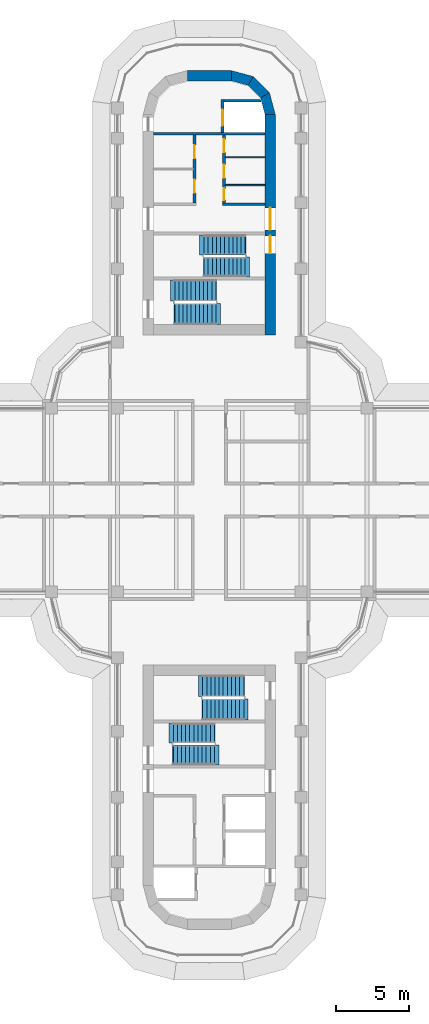
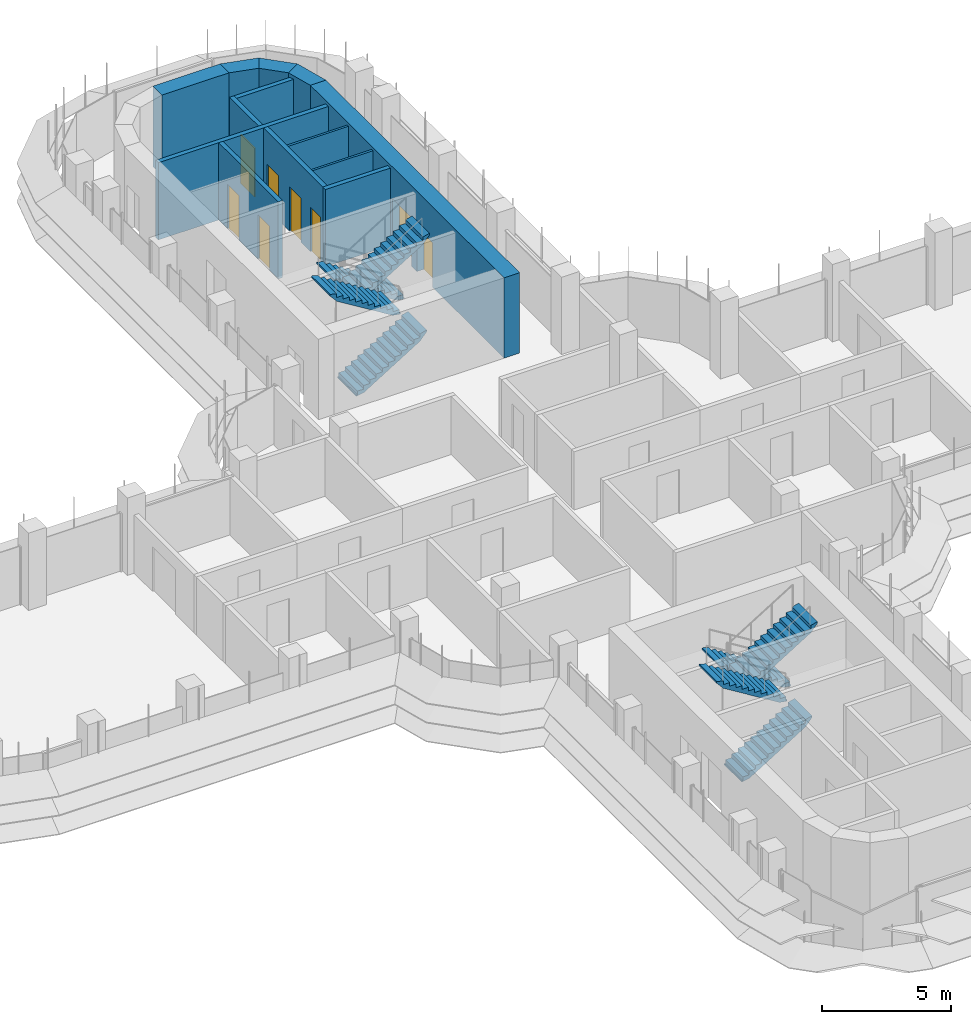
# One storey, part 16 of 20: 13 walls, 8 doors, 8 stair flights, 8 openings, 4 elements without a shape of their own.
"""IFC4 building model written with IfcOpenShell, lengths in metres."""

from ifc_helpers import new_model, si_unit, direction, frame, frame_2d, origin, place, context, subcontext, project, spatial, polyline, rectangle, outline, extrude, material, layer, layer_set, type_object, element, fill, aggregate, save


model = new_model("IFC4")

# Units and contexts
model_context = context("Model", 3, precision=1e-05, world=origin(), true_north=direction((0.0, 1.0)))
body_context = subcontext(model_context, "Body", "Model", "MODEL_VIEW")
ifc_project = project(units=[si_unit("LENGTHUNIT", "METRE"), si_unit("AREAUNIT", "SQUARE_METRE"), si_unit("VOLUMEUNIT", "CUBIC_METRE"), si_unit("PLANEANGLEUNIT", "RADIAN"), si_unit("MASSUNIT", "GRAM", prefix="KILO")], contexts=[model_context])

# Site, building, storey
site_placement = place(None, origin())
site = spatial("IfcSite", under=ifc_project, at=site_placement, CompositionType="ELEMENT")
building_placement = place(site_placement, origin())
building = spatial("IfcBuilding", under=site, at=building_placement, Name="Zarbagh Exchange Tower", CompositionType="ELEMENT")
storey_placement = place(building_placement, frame((0.0, 0.0, 186.60009765625)))
storey = spatial("IfcBuildingStorey", under=building, at=storey_placement, Name="L45", CompositionType="ELEMENT", Elevation=186.60009765625)

# Walls
ifc_material_1 = material(Name="Dense blockwork", Category="masonry")
ifc_layer_1 = layer(ifc_material_1, 0.10009765625)
ifc_layer_set_1 = layer_set([ifc_layer_1], Name="Core partition 100 mm blockwork")
wall_type_1 = type_object("IfcWallType", Name="Core partition 100 mm blockwork", PredefinedType="PARTITIONING", material=ifc_layer_set_1)
for number, where, z_axis, x_axis, name in (
    (1, (1.10009765625, 23.35009765625, 0.0), (0.0, 0.0, 1.0), (1.0, 0.0, 0.0), "North core partition wall CUT-E-500"),
    (2, (1.10009765625, 21.449951171875, 0.0), (0.0, 0.0, 1.0), (1.0, 0.0, 0.0), "North core partition wall CUT-E-690"),
):
    element("IfcWall", number, at=place(storey_placement, frame(where, z_axis=z_axis, x_axis=x_axis)), inside=storey, type_object=wall_type_1, Name=name, PredefinedType="PARTITIONING", context=body_context, shape_type="SweptSolid", body=[
        extrude(rectangle(XDim=2.699951171875, YDim=0.10009765625, at=frame_2d((1.35009765625, 0.0))), origin(), (0.0, 0.0, 1.0), 3.64990234375),
    ])
ifc_material_2 = material(Name="Concrete C50/60", Category="concrete")
ifc_layer_2 = layer(ifc_material_2, 0.699951171875)
ifc_layer_set_2 = layer_set([ifc_layer_2], Name="RC core corner wall 700 C50/60")
wall_type_2 = type_object("IfcWallType", Name="RC core corner wall 700 C50/60", PredefinedType="SHEAR", material=ifc_layer_set_2)
wall_1_placement = place(storey_placement, origin())
element("IfcWall", 3, at=wall_1_placement, inside=storey, type_object=wall_type_2, Name="CW6 core N corner E", PredefinedType="SHEAR", context=body_context, shape_type="SweptSolid", body=[
    extrude(outline(polyline([(4.5, 26.25), (4.09814453125, 27.75), (3.491943359375, 27.39990234375), (3.800048828125, 26.25), (4.5, 26.25)])), origin(), (0.0, 0.0, 1.0), 3.7998046875),
])
wall_2_placement = place(storey_placement, origin())
element("IfcWall", 4, at=wall_2_placement, inside=storey, type_object=wall_type_2, Name="CW6 core N corner E", PredefinedType="SHEAR", context=body_context, shape_type="SweptSolid", body=[
    extrude(outline(polyline([(4.09814453125, 27.75), (3.0, 28.84814453125), (2.64990234375, 28.241943359375), (3.491943359375, 27.39990234375), (4.09814453125, 27.75)])), origin(), (0.0, 0.0, 1.0), 3.7998046875),
])
wall_3_placement = place(storey_placement, origin())
element("IfcWall", 5, at=wall_3_placement, inside=storey, type_object=wall_type_2, Name="CW6 core N corner E", PredefinedType="SHEAR", context=body_context, shape_type="SweptSolid", body=[
    extrude(outline(polyline([(3.0, 28.84814453125), (1.5, 29.25), (1.5, 28.550048828125), (2.64990234375, 28.241943359375), (3.0, 28.84814453125)])), origin(), (0.0, 0.0, 1.0), 3.7998046875),
])

# Wall, openings, doors
ifc_layer_3 = layer(ifc_material_2, 0.699951171875)
ifc_layer_set_3 = layer_set([ifc_layer_3], Name="RC core wall 700 C50/60")
wall_type_3 = type_object("IfcWallType", Name="RC core wall 700 C50/60", PredefinedType="SHEAR", material=ifc_layer_set_3)
wall_4_placement = place(storey_placement, frame((4.14990234375, 11.25, 0.0), z_axis=(0.0, 0.0, 1.0), x_axis=(0.0, 1.0, 0.0)))
wall_4 = element("IfcWall", 6, at=wall_4_placement, inside=storey, type_object=wall_type_3, Name="CW5 core N E", PredefinedType="SHEAR", context=body_context, shape_type="SweptSolid", body=[
    extrude(rectangle(XDim=15.0, YDim=0.699951171875, at=frame_2d((7.5, 0.0))), origin(), (0.0, 0.0, 1.0), 3.7998046875),
])
opening_1_placement = place(wall_4_placement, frame((7.14990234375, 0.0, 0.0)))
opening_1 = element("IfcOpeningElement", 7, at=opening_1_placement, cuts=wall_4, Name="Opening CD1-1500", PredefinedType="OPENING", context=body_context, shape_type="SweptSolid", body=[
    extrude(rectangle(XDim=1.5, YDim=2.300048828125, at=frame_2d((0.75, 1.14990234375))), frame((0.0, 0.35986328125, 0.0), z_axis=(0.0, -1.0, 0.0), x_axis=(1.0, 0.0, 0.0)), (0.0, 0.0, 1.0), 0.719970703125),
])
opening_2_placement = place(wall_4_placement, frame((5.550048828125, 0.0, 0.0)))
opening_2 = element("IfcOpeningElement", 8, at=opening_2_placement, cuts=wall_4, Name="Opening SD1-1200", PredefinedType="OPENING", context=body_context, shape_type="SweptSolid", body=[
    extrude(rectangle(XDim=1.199951171875, YDim=2.10009765625, at=frame_2d((0.60009765625, 1.050048828125))), frame((0.0, 0.35986328125, 0.0), z_axis=(0.0, -1.0, 0.0), x_axis=(1.0, 0.0, 0.0)), (0.0, 0.0, 1.0), 0.719970703125),
])
ifc_material_3 = material(Name="Steel", Category="steel")
door_type_1 = type_object("IfcDoorType", Name="Exit stair door 1200 x 2100", OperationType="NOTDEFINED", PredefinedType="DOOR", material=ifc_material_3)
door_1_placement = place(opening_2_placement, origin())
door_1 = element("IfcDoor", 9, at=door_1_placement, inside=storey, type_object=door_type_1, Name="North core stair door ST1", OperationType="SINGLE_SWING_LEFT", OverallHeight=2.10009765625, OverallWidth=1.199951171875, PredefinedType="DOOR", context=body_context, shape_type="SweptSolid", body=[
    extrude(rectangle(XDim=1.199951171875, YDim=2.10009765625, at=frame_2d((0.60009765625, 1.050048828125))), frame((0.0, 0.02490234375, 0.0), z_axis=(0.0, -1.0, 0.0), x_axis=(1.0, 0.0, 0.0)), (0.0, 0.0, 1.0), 0.050048828125),
])
fill(opening_2, door_1)
door_type_2 = type_object("IfcDoorType", Name="Lift lobby double door 1500 x 2300", OperationType="NOTDEFINED", PredefinedType="DOOR", material=ifc_material_3)
door_2_placement = place(opening_1_placement, origin())
door_2 = element("IfcDoor", 10, at=door_2_placement, inside=storey, type_object=door_type_2, Name="North core lift lobby door LOBBY-E", OperationType="DOUBLE_DOOR_SINGLE_SWING", OverallHeight=2.300048828125, OverallWidth=1.5, PredefinedType="DOOR", context=body_context, shape_type="SweptSolid", body=[
    extrude(rectangle(XDim=1.5, YDim=2.300048828125, at=frame_2d((0.75, 1.14990234375))), frame((0.0, 0.02490234375, 0.0), z_axis=(0.0, -1.0, 0.0), x_axis=(1.0, 0.0, 0.0)), (0.0, 0.0, 1.0), 0.050048828125),
])
fill(opening_1, door_2)

# Wall
wall_5_placement = place(storey_placement, frame((-1.5, 28.89990234375, 0.0), z_axis=(0.0, 0.0, 1.0), x_axis=(1.0, 0.0, 0.0)))
element("IfcWall", 11, at=wall_5_placement, inside=storey, type_object=wall_type_3, Name="CW5 core N outer end", PredefinedType="SHEAR", context=body_context, shape_type="SweptSolid", body=[
    extrude(rectangle(XDim=3.0, YDim=0.699951171875, at=frame_2d((1.5, 0.0))), origin(), (0.0, 0.0, 1.0), 3.7998046875),
])

# Wall, openings, doors
ifc_layer_4 = layer(ifc_material_1, 0.199951171875)
ifc_layer_set_4 = layer_set([ifc_layer_4], Name="Shaft wall 200 mm blockwork")
wall_type_4 = type_object("IfcWallType", Name="Shaft wall 200 mm blockwork", PredefinedType="PARTITIONING", material=ifc_layer_set_4)
wall_6_placement = place(storey_placement, frame((-1.0, 24.85009765625, 0.0), z_axis=(0.0, 0.0, 1.0), x_axis=(0.0, -1.0, 0.0)))
wall_6 = element("IfcWall", 12, at=wall_6_placement, inside=storey, type_object=wall_type_4, Name="North core shaft wall LW-W", PredefinedType="PARTITIONING", context=body_context, shape_type="SweptSolid", body=[
    extrude(rectangle(XDim=4.60009765625, YDim=0.199951171875, at=frame_2d((2.300048828125, 0.0))), origin(), (0.0, 0.0, 1.0), 3.64990234375),
])
opening_3_placement = place(wall_6_placement, frame((0.675048828125, 0.0, 0.0)))
opening_3 = element("IfcOpeningElement", 13, at=opening_3_placement, cuts=wall_6, Name="Opening CD3-900", PredefinedType="OPENING", context=body_context, shape_type="SweptSolid", body=[
    extrude(rectangle(XDim=0.89990234375, YDim=2.10009765625, at=frame_2d((0.449951171875, 1.050048828125))), frame((0.0, 0.10986328125, 0.0), z_axis=(0.0, -1.0, 0.0), x_axis=(1.0, 0.0, 0.0)), (0.0, 0.0, 1.0), 0.219970703125),
])
opening_4_placement = place(wall_6_placement, frame((3.02490234375, 0.0, 0.0)))
opening_4 = element("IfcOpeningElement", 14, at=opening_4_placement, cuts=wall_6, Name="Opening CD3-900", PredefinedType="OPENING", context=body_context, shape_type="SweptSolid", body=[
    extrude(rectangle(XDim=0.89990234375, YDim=2.10009765625, at=frame_2d((0.449951171875, 1.050048828125))), frame((0.0, 0.10986328125, 0.0), z_axis=(0.0, -1.0, 0.0), x_axis=(1.0, 0.0, 0.0)), (0.0, 0.0, 1.0), 0.219970703125),
])
door_type_3 = type_object("IfcDoorType", Name="Core room door 900 x 2100", OperationType="NOTDEFINED", PredefinedType="DOOR", material=ifc_material_3)
door_3_placement = place(opening_3_placement, origin())
door_3 = element("IfcDoor", 15, at=door_3_placement, inside=storey, type_object=door_type_3, Name="North core Staff WC door RD-W-0", OperationType="SINGLE_SWING_LEFT", OverallHeight=2.10009765625, OverallWidth=0.89990234375, PredefinedType="DOOR", context=body_context, shape_type="SweptSolid", body=[
    extrude(rectangle(XDim=0.89990234375, YDim=2.10009765625, at=frame_2d((0.449951171875, 1.050048828125))), frame((0.0, 0.02490234375, 0.0), z_axis=(0.0, -1.0, 0.0), x_axis=(1.0, 0.0, 0.0)), (0.0, 0.0, 1.0), 0.050048828125),
])
fill(opening_3, door_3)
door_4_placement = place(opening_4_placement, origin())
door_4 = element("IfcDoor", 16, at=door_4_placement, inside=storey, type_object=door_type_3, Name="North core Accessible WC door RD-W-1", OperationType="SINGLE_SWING_LEFT", OverallHeight=2.10009765625, OverallWidth=0.89990234375, PredefinedType="DOOR", context=body_context, shape_type="SweptSolid", body=[
    extrude(rectangle(XDim=0.89990234375, YDim=2.10009765625, at=frame_2d((0.449951171875, 1.050048828125))), frame((0.0, 0.02490234375, 0.0), z_axis=(0.0, -1.0, 0.0), x_axis=(1.0, 0.0, 0.0)), (0.0, 0.0, 1.0), 0.050048828125),
])
fill(opening_4, door_4)

# Wall
wall_7_placement = place(storey_placement, frame((0.89990234375, 20.14990234375, 0.0), z_axis=(0.0, 0.0, 1.0), x_axis=(1.0, 0.0, 0.0)))
element("IfcWall", 17, at=wall_7_placement, inside=storey, type_object=wall_type_4, Name="North core shaft wall AB-E", PredefinedType="PARTITIONING", context=body_context, shape_type="SweptSolid", body=[
    extrude(rectangle(XDim=2.900146484375, YDim=0.199951171875, at=frame_2d((1.4501953125, 0.0))), origin(), (0.0, 0.0, 1.0), 3.64990234375),
])

# Wall, openings, doors
wall_8_placement = place(storey_placement, frame((1.0, 24.85009765625, 0.0), z_axis=(0.0, 0.0, 1.0), x_axis=(0.0, -1.0, 0.0)))
wall_8 = element("IfcWall", 18, at=wall_8_placement, inside=storey, type_object=wall_type_4, Name="North core shaft wall LW-E", PredefinedType="PARTITIONING", context=body_context, shape_type="SweptSolid", body=[
    extrude(rectangle(XDim=4.60009765625, YDim=0.199951171875, at=frame_2d((2.300048828125, 0.0))), origin(), (0.0, 0.0, 1.0), 3.64990234375),
])
opening_5_placement = place(wall_8_placement, frame((0.27490234375, 0.0, 0.0)))
opening_5 = element("IfcOpeningElement", 19, at=opening_5_placement, cuts=wall_8, Name="Opening CD3-900", PredefinedType="OPENING", context=body_context, shape_type="SweptSolid", body=[
    extrude(rectangle(XDim=0.89990234375, YDim=2.10009765625, at=frame_2d((0.449951171875, 1.050048828125))), frame((0.0, 0.10986328125, 0.0), z_axis=(0.0, -1.0, 0.0), x_axis=(1.0, 0.0, 0.0)), (0.0, 0.0, 1.0), 0.219970703125),
])
opening_6_placement = place(wall_8_placement, frame((2.0, 0.0, 0.0)))
opening_6 = element("IfcOpeningElement", 20, at=opening_6_placement, cuts=wall_8, Name="Opening CD3-900", PredefinedType="OPENING", context=body_context, shape_type="SweptSolid", body=[
    extrude(rectangle(XDim=0.89990234375, YDim=2.10009765625, at=frame_2d((0.449951171875, 1.050048828125))), frame((0.0, 0.10986328125, 0.0), z_axis=(0.0, -1.0, 0.0), x_axis=(1.0, 0.0, 0.0)), (0.0, 0.0, 1.0), 0.219970703125),
])
opening_7_placement = place(wall_8_placement, frame((3.625, 0.0, 0.0)))
opening_7 = element("IfcOpeningElement", 21, at=opening_7_placement, cuts=wall_8, Name="Opening CD3-800", PredefinedType="OPENING", context=body_context, shape_type="SweptSolid", body=[
    extrude(rectangle(XDim=0.800048828125, YDim=2.10009765625, at=frame_2d((0.39990234375, 1.050048828125))), frame((0.0, 0.10986328125, 0.0), z_axis=(0.0, -1.0, 0.0), x_axis=(1.0, 0.0, 0.0)), (0.0, 0.0, 1.0), 0.219970703125),
])
door_type_4 = type_object("IfcDoorType", Name="Core room door 800 x 2100", OperationType="NOTDEFINED", PredefinedType="DOOR", material=ifc_material_3)
door_5_placement = place(opening_7_placement, origin())
door_5 = element("IfcDoor", 22, at=door_5_placement, inside=storey, type_object=door_type_4, Name="North core IT room door RD-E-2", OperationType="SINGLE_SWING_RIGHT", OverallHeight=2.10009765625, OverallWidth=0.800048828125, PredefinedType="DOOR", context=body_context, shape_type="SweptSolid", body=[
    extrude(rectangle(XDim=0.800048828125, YDim=2.10009765625, at=frame_2d((0.39990234375, 1.050048828125))), frame((0.0, 0.02490234375, 0.0), z_axis=(0.0, -1.0, 0.0), x_axis=(1.0, 0.0, 0.0)), (0.0, 0.0, 1.0), 0.050048828125),
])
fill(opening_7, door_5)
door_6_placement = place(opening_5_placement, origin())
door_6 = element("IfcDoor", 23, at=door_6_placement, inside=storey, type_object=door_type_3, Name="North core Cleaner's store door RD-E-0", OperationType="SINGLE_SWING_RIGHT", OverallHeight=2.10009765625, OverallWidth=0.89990234375, PredefinedType="DOOR", context=body_context, shape_type="SweptSolid", body=[
    extrude(rectangle(XDim=0.89990234375, YDim=2.10009765625, at=frame_2d((0.449951171875, 1.050048828125))), frame((0.0, 0.02490234375, 0.0), z_axis=(0.0, -1.0, 0.0), x_axis=(1.0, 0.0, 0.0)), (0.0, 0.0, 1.0), 0.050048828125),
])
fill(opening_5, door_6)
door_7_placement = place(opening_6_placement, origin())
door_7 = element("IfcDoor", 24, at=door_7_placement, inside=storey, type_object=door_type_3, Name="North core Pantry door RD-E-1", OperationType="SINGLE_SWING_LEFT", OverallHeight=2.10009765625, OverallWidth=0.89990234375, PredefinedType="DOOR", context=body_context, shape_type="SweptSolid", body=[
    extrude(rectangle(XDim=0.89990234375, YDim=2.10009765625, at=frame_2d((0.449951171875, 1.050048828125))), frame((0.0, 0.02490234375, 0.0), z_axis=(0.0, -1.0, 0.0), x_axis=(1.0, 0.0, 0.0)), (0.0, 0.0, 1.0), 0.050048828125),
])
fill(opening_6, door_7)

# Wall
ifc_material_4 = material(Name="Concrete C40/50", Category="concrete")
ifc_layer_5 = layer(ifc_material_4, 0.199951171875)
ifc_layer_set_5 = layer_set([ifc_layer_5], Name="Stair enclosure wall 200 mm RC C40/50")
wall_type_5 = type_object("IfcWallType", Name="Stair enclosure wall 200 mm RC C40/50", PredefinedType="SHEAR", material=ifc_layer_set_5)
wall_9_placement = place(storey_placement, frame((-3.800048828125, 24.949951171875, 0.0), z_axis=(0.0, 0.0, 1.0), x_axis=(1.0, 0.0, 0.0)))
element("IfcWall", 25, at=wall_9_placement, inside=storey, type_object=wall_type_5, Name="North core lift shaft wall FFA", PredefinedType="SHEAR", context=body_context, shape_type="SweptSolid", body=[
    extrude(rectangle(XDim=7.60009765625, YDim=0.199951171875, at=frame_2d((3.800048828125, 0.0))), origin(), (0.0, 0.0, 1.0), 3.64990234375),
])

# Wall, opening, door
wall_10_placement = place(storey_placement, frame((0.89990234375, 27.300048828125, 0.0), z_axis=(0.0, 0.0, 1.0), x_axis=(0.0, -1.0, 0.0)))
wall_10 = element("IfcWall", 26, at=wall_10_placement, inside=storey, type_object=wall_type_5, Name="North core lift shaft wall FFL", PredefinedType="SHEAR", context=body_context, shape_type="SweptSolid", body=[
    extrude(rectangle(XDim=2.25, YDim=0.199951171875, at=frame_2d((1.125, 0.0))), origin(), (0.0, 0.0, 1.0), 3.64990234375),
])
opening_8_placement = place(wall_10_placement, frame((0.699951171875, 0.0, 0.0)))
opening_8 = element("IfcOpeningElement", 27, at=opening_8_placement, cuts=wall_10, Name="Opening LD-1100", PredefinedType="OPENING", context=body_context, shape_type="SweptSolid", body=[
    extrude(rectangle(XDim=1.10009765625, YDim=2.300048828125, at=frame_2d((0.550048828125, 1.14990234375))), frame((0.0, 0.10986328125, 0.0), z_axis=(0.0, -1.0, 0.0), x_axis=(1.0, 0.0, 0.0)), (0.0, 0.0, 1.0), 0.219970703125),
])
ifc_material_5 = material(Name="Stainless steel", Category="steel")
door_type_5 = type_object("IfcDoorType", Name="Lift landing door 1100 x 2300", OperationType="NOTDEFINED", PredefinedType="DOOR", material=ifc_material_5)
door_8_placement = place(opening_8_placement, origin())
door_8 = element("IfcDoor", 28, at=door_8_placement, inside=storey, type_object=door_type_5, Name="North core lift landing door LD-F", OperationType="DOUBLE_DOOR_SLIDING", OverallHeight=2.300048828125, OverallWidth=1.10009765625, PredefinedType="DOOR", context=body_context, shape_type="SweptSolid", body=[
    extrude(rectangle(XDim=1.10009765625, YDim=2.300048828125, at=frame_2d((0.550048828125, 1.14990234375))), frame((0.0, 0.02490234375, 0.0), z_axis=(0.0, -1.0, 0.0), x_axis=(1.0, 0.0, 0.0)), (0.0, 0.0, 1.0), 0.050048828125),
])
fill(opening_8, door_8)

# Wall
wall_11_placement = place(storey_placement, origin())
element("IfcWall", 29, at=wall_11_placement, inside=storey, type_object=wall_type_5, Name="North core lift shaft wall FFX", PredefinedType="SHEAR", context=body_context, shape_type="SweptSolid", body=[
    extrude(outline(polyline([(1.0, 27.10009765625), (3.547607421875, 27.10009765625), (3.493896484375, 27.300048828125), (1.0, 27.300048828125), (1.0, 27.10009765625)])), origin(), (0.0, 0.0, 1.0), 3.64990234375),
])

# Stair, stair flights
stair_type = type_object("IfcStairType", Name="Exit stair two-flight half-turn", PredefinedType="HALF_TURN_STAIR", material=ifc_material_4)
stair_1_placement = place(storey_placement, origin())
stair_1 = element("IfcStair", 30, at=stair_1_placement, inside=storey, type_object=stair_type, Name="exit stair ST1", PredefinedType="HALF_TURN_STAIR")
stair_flight_type_1 = type_object("IfcStairFlightType", Name="Stair flight 1350 mm", PredefinedType="STRAIGHT", material=ifc_material_4)
stair_flight_1_placement = place(storey_placement, frame((2.449951171875, 17.375, 0.0), z_axis=(0.0, 0.0, 1.0), x_axis=(-1.0, 0.0, 0.0)))
stair_flight_1 = element("IfcStairFlight", 31, at=stair_flight_1_placement, type_object=stair_flight_type_1, Name="ST1 flight 1", NumberOfRisers=11, NumberOfTreads=10, PredefinedType="STRAIGHT", RiserHeight=0.172727273, TreadLength=0.28, context=body_context, shape_type="SweptSolid", body=[
    extrude(outline(polyline([(-0.050048828125, -0.050048828125), (-0.050048828125, 0.0), (0.0, 0.0), (0.0, 0.172607421875), (0.280029296875, 0.172607421875), (0.280029296875, 0.345458984375), (0.56005859375, 0.345458984375), (0.56005859375, 0.51806640625), (0.840087890625, 0.51806640625), (0.840087890625, 0.69091796875), (1.1201171875, 0.69091796875), (1.1201171875, 0.863525390625), (1.39990234375, 0.863525390625), (1.39990234375, 1.036376953125), (1.679931640625, 1.036376953125), (1.679931640625, 1.208984375), (1.9599609375, 1.208984375), (1.9599609375, 1.3818359375), (2.239990234375, 1.3818359375), (2.239990234375, 1.554443359375), (2.52001953125, 1.554443359375), (2.52001953125, 1.727294921875), (2.800048828125, 1.727294921875), (2.800048828125, 1.89990234375), (3.10009765625, 1.97998046875), (3.10009765625, 1.89990234375), (2.800048828125, 1.551025390625), (0.285400390625, 0.0), (-0.050048828125, -0.050048828125)])), frame((0.0, 0.675048828125, 0.0), z_axis=(0.0, -1.0, 0.0), x_axis=(1.0, 0.0, 0.0)), (0.0, 0.0, 1.0), 1.35009765625),
])
stair_flight_2_placement = place(storey_placement, frame((-0.35009765625, 15.875, 1.89990234375), z_axis=(0.0, 0.0, 1.0), x_axis=(1.0, 0.0, 0.0)))
stair_flight_2 = element("IfcStairFlight", 32, at=stair_flight_2_placement, type_object=stair_flight_type_1, Name="ST1 flight 2", NumberOfRisers=11, NumberOfTreads=10, PredefinedType="STRAIGHT", RiserHeight=0.172727273, TreadLength=0.28, context=body_context, shape_type="SweptSolid", body=[
    extrude(outline(polyline([(-0.050048828125, -0.050048828125), (-0.050048828125, 0.0), (0.0, 0.0), (0.0, 0.172607421875), (0.280029296875, 0.172607421875), (0.280029296875, 0.345458984375), (0.56005859375, 0.345458984375), (0.56005859375, 0.51806640625), (0.840087890625, 0.51806640625), (0.840087890625, 0.69091796875), (1.1201171875, 0.69091796875), (1.1201171875, 0.863525390625), (1.39990234375, 0.863525390625), (1.39990234375, 1.036376953125), (1.679931640625, 1.036376953125), (1.679931640625, 1.208984375), (1.9599609375, 1.208984375), (1.9599609375, 1.3818359375), (2.239990234375, 1.3818359375), (2.239990234375, 1.554443359375), (2.52001953125, 1.554443359375), (2.52001953125, 1.727294921875), (2.800048828125, 1.727294921875), (2.800048828125, 1.89990234375), (3.10009765625, 1.97998046875), (3.10009765625, 1.89990234375), (2.800048828125, 1.551025390625), (0.285400390625, 0.0), (-0.050048828125, -0.050048828125)])), frame((0.0, 0.675048828125, 0.0), z_axis=(0.0, -1.0, 0.0), x_axis=(1.0, 0.0, 0.0)), (0.0, 0.0, 1.0), 1.35009765625),
])
aggregate(stair_1, [stair_flight_1, stair_flight_2])

stair_2_placement = place(storey_placement, origin())
stair_2 = element("IfcStair", 33, at=stair_2_placement, inside=storey, type_object=stair_type, Name="exit stair ST3", PredefinedType="HALF_TURN_STAIR")
stair_flight_3_placement = place(storey_placement, frame((-2.449951171875, -17.375, 0.0), z_axis=(0.0, 0.0, 1.0), x_axis=(1.0, 0.0, 0.0)))
stair_flight_3 = element("IfcStairFlight", 34, at=stair_flight_3_placement, type_object=stair_flight_type_1, Name="ST3 flight 1", NumberOfRisers=11, NumberOfTreads=10, PredefinedType="STRAIGHT", RiserHeight=0.172727273, TreadLength=0.28, context=body_context, shape_type="SweptSolid", body=[
    extrude(outline(polyline([(-0.050048828125, -0.050048828125), (-0.050048828125, 0.0), (0.0, 0.0), (0.0, 0.172607421875), (0.280029296875, 0.172607421875), (0.280029296875, 0.345458984375), (0.56005859375, 0.345458984375), (0.56005859375, 0.51806640625), (0.840087890625, 0.51806640625), (0.840087890625, 0.69091796875), (1.1201171875, 0.69091796875), (1.1201171875, 0.863525390625), (1.39990234375, 0.863525390625), (1.39990234375, 1.036376953125), (1.679931640625, 1.036376953125), (1.679931640625, 1.208984375), (1.9599609375, 1.208984375), (1.9599609375, 1.3818359375), (2.239990234375, 1.3818359375), (2.239990234375, 1.554443359375), (2.52001953125, 1.554443359375), (2.52001953125, 1.727294921875), (2.800048828125, 1.727294921875), (2.800048828125, 1.89990234375), (3.10009765625, 1.97998046875), (3.10009765625, 1.89990234375), (2.800048828125, 1.551025390625), (0.285400390625, 0.0), (-0.050048828125, -0.050048828125)])), frame((0.0, 0.675048828125, 0.0), z_axis=(0.0, -1.0, 0.0), x_axis=(1.0, 0.0, 0.0)), (0.0, 0.0, 1.0), 1.35009765625),
])
stair_flight_4_placement = place(storey_placement, frame((0.35009765625, -15.875, 1.89990234375), z_axis=(0.0, 0.0, 1.0), x_axis=(-1.0, 0.0, 0.0)))
stair_flight_4 = element("IfcStairFlight", 35, at=stair_flight_4_placement, type_object=stair_flight_type_1, Name="ST3 flight 2", NumberOfRisers=11, NumberOfTreads=10, PredefinedType="STRAIGHT", RiserHeight=0.172727273, TreadLength=0.28, context=body_context, shape_type="SweptSolid", body=[
    extrude(outline(polyline([(-0.050048828125, -0.050048828125), (-0.050048828125, 0.0), (0.0, 0.0), (0.0, 0.172607421875), (0.280029296875, 0.172607421875), (0.280029296875, 0.345458984375), (0.56005859375, 0.345458984375), (0.56005859375, 0.51806640625), (0.840087890625, 0.51806640625), (0.840087890625, 0.69091796875), (1.1201171875, 0.69091796875), (1.1201171875, 0.863525390625), (1.39990234375, 0.863525390625), (1.39990234375, 1.036376953125), (1.679931640625, 1.036376953125), (1.679931640625, 1.208984375), (1.9599609375, 1.208984375), (1.9599609375, 1.3818359375), (2.239990234375, 1.3818359375), (2.239990234375, 1.554443359375), (2.52001953125, 1.554443359375), (2.52001953125, 1.727294921875), (2.800048828125, 1.727294921875), (2.800048828125, 1.89990234375), (3.10009765625, 1.97998046875), (3.10009765625, 1.89990234375), (2.800048828125, 1.551025390625), (0.285400390625, 0.0), (-0.050048828125, -0.050048828125)])), frame((0.0, 0.675048828125, 0.0), z_axis=(0.0, -1.0, 0.0), x_axis=(1.0, 0.0, 0.0)), (0.0, 0.0, 1.0), 1.35009765625),
])
aggregate(stair_2, [stair_flight_3, stair_flight_4])

stair_3_placement = place(storey_placement, origin())
stair_3 = element("IfcStair", 36, at=stair_3_placement, inside=storey, type_object=stair_type, Name="exit stair ST2", PredefinedType="HALF_TURN_STAIR")
stair_flight_type_2 = type_object("IfcStairFlightType", Name="Stair flight 1450 mm", PredefinedType="STRAIGHT", material=ifc_material_4)
stair_flight_5_placement = place(storey_placement, frame((-2.35009765625, 12.675048828125, 0.0), z_axis=(0.0, 0.0, 1.0), x_axis=(1.0, 0.0, 0.0)))
stair_flight_5 = element("IfcStairFlight", 37, at=stair_flight_5_placement, type_object=stair_flight_type_2, Name="ST2 flight 1", NumberOfRisers=11, NumberOfTreads=10, PredefinedType="STRAIGHT", RiserHeight=0.172727273, TreadLength=0.28, context=body_context, shape_type="SweptSolid", body=[
    extrude(outline(polyline([(-0.050048828125, -0.050048828125), (-0.050048828125, 0.0), (0.0, 0.0), (0.0, 0.172607421875), (0.280029296875, 0.172607421875), (0.280029296875, 0.345458984375), (0.56005859375, 0.345458984375), (0.56005859375, 0.51806640625), (0.840087890625, 0.51806640625), (0.840087890625, 0.69091796875), (1.1201171875, 0.69091796875), (1.1201171875, 0.863525390625), (1.39990234375, 0.863525390625), (1.39990234375, 1.036376953125), (1.679931640625, 1.036376953125), (1.679931640625, 1.208984375), (1.9599609375, 1.208984375), (1.9599609375, 1.3818359375), (2.239990234375, 1.3818359375), (2.239990234375, 1.554443359375), (2.52001953125, 1.554443359375), (2.52001953125, 1.727294921875), (2.800048828125, 1.727294921875), (2.800048828125, 1.89990234375), (3.10009765625, 1.97998046875), (3.10009765625, 1.89990234375), (2.800048828125, 1.551025390625), (0.285400390625, 0.0), (-0.050048828125, -0.050048828125)])), frame((0.0, 0.72509765625, 0.0), z_axis=(0.0, -1.0, 0.0), x_axis=(1.0, 0.0, 0.0)), (0.0, 0.0, 1.0), 1.449951171875),
])
stair_flight_6_placement = place(storey_placement, frame((0.449951171875, 14.27490234375, 1.89990234375), z_axis=(0.0, 0.0, 1.0), x_axis=(-1.0, 0.0, 0.0)))
stair_flight_6 = element("IfcStairFlight", 38, at=stair_flight_6_placement, type_object=stair_flight_type_2, Name="ST2 flight 2", NumberOfRisers=11, NumberOfTreads=10, PredefinedType="STRAIGHT", RiserHeight=0.172727273, TreadLength=0.28, context=body_context, shape_type="SweptSolid", body=[
    extrude(outline(polyline([(-0.050048828125, -0.050048828125), (-0.050048828125, 0.0), (0.0, 0.0), (0.0, 0.172607421875), (0.280029296875, 0.172607421875), (0.280029296875, 0.345458984375), (0.56005859375, 0.345458984375), (0.56005859375, 0.51806640625), (0.840087890625, 0.51806640625), (0.840087890625, 0.69091796875), (1.1201171875, 0.69091796875), (1.1201171875, 0.863525390625), (1.39990234375, 0.863525390625), (1.39990234375, 1.036376953125), (1.679931640625, 1.036376953125), (1.679931640625, 1.208984375), (1.9599609375, 1.208984375), (1.9599609375, 1.3818359375), (2.239990234375, 1.3818359375), (2.239990234375, 1.554443359375), (2.52001953125, 1.554443359375), (2.52001953125, 1.727294921875), (2.800048828125, 1.727294921875), (2.800048828125, 1.89990234375), (3.10009765625, 1.97998046875), (3.10009765625, 1.89990234375), (2.800048828125, 1.551025390625), (0.285400390625, 0.0), (-0.050048828125, -0.050048828125)])), frame((0.0, 0.72509765625, 0.0), z_axis=(0.0, -1.0, 0.0), x_axis=(1.0, 0.0, 0.0)), (0.0, 0.0, 1.0), 1.449951171875),
])
aggregate(stair_3, [stair_flight_5, stair_flight_6])

stair_4_placement = place(storey_placement, origin())
stair_4 = element("IfcStair", 39, at=stair_4_placement, inside=storey, type_object=stair_type, Name="exit stair ST4", PredefinedType="HALF_TURN_STAIR")
stair_flight_7_placement = place(storey_placement, frame((2.35009765625, -12.675048828125, 0.0), z_axis=(0.0, 0.0, 1.0), x_axis=(-1.0, 0.0, 0.0)))
stair_flight_7 = element("IfcStairFlight", 40, at=stair_flight_7_placement, type_object=stair_flight_type_2, Name="ST4 flight 1", NumberOfRisers=11, NumberOfTreads=10, PredefinedType="STRAIGHT", RiserHeight=0.172727273, TreadLength=0.28, context=body_context, shape_type="SweptSolid", body=[
    extrude(outline(polyline([(-0.050048828125, -0.050048828125), (-0.050048828125, 0.0), (0.0, 0.0), (0.0, 0.172607421875), (0.280029296875, 0.172607421875), (0.280029296875, 0.345458984375), (0.56005859375, 0.345458984375), (0.56005859375, 0.51806640625), (0.840087890625, 0.51806640625), (0.840087890625, 0.69091796875), (1.1201171875, 0.69091796875), (1.1201171875, 0.863525390625), (1.39990234375, 0.863525390625), (1.39990234375, 1.036376953125), (1.679931640625, 1.036376953125), (1.679931640625, 1.208984375), (1.9599609375, 1.208984375), (1.9599609375, 1.3818359375), (2.239990234375, 1.3818359375), (2.239990234375, 1.554443359375), (2.52001953125, 1.554443359375), (2.52001953125, 1.727294921875), (2.800048828125, 1.727294921875), (2.800048828125, 1.89990234375), (3.10009765625, 1.97998046875), (3.10009765625, 1.89990234375), (2.800048828125, 1.551025390625), (0.285400390625, 0.0), (-0.050048828125, -0.050048828125)])), frame((0.0, 0.72509765625, 0.0), z_axis=(0.0, -1.0, 0.0), x_axis=(1.0, 0.0, 0.0)), (0.0, 0.0, 1.0), 1.449951171875),
])
stair_flight_8_placement = place(storey_placement, frame((-0.449951171875, -14.27490234375, 1.89990234375), z_axis=(0.0, 0.0, 1.0), x_axis=(1.0, 0.0, 0.0)))
stair_flight_8 = element("IfcStairFlight", 41, at=stair_flight_8_placement, type_object=stair_flight_type_2, Name="ST4 flight 2", NumberOfRisers=11, NumberOfTreads=10, PredefinedType="STRAIGHT", RiserHeight=0.172727273, TreadLength=0.28, context=body_context, shape_type="SweptSolid", body=[
    extrude(outline(polyline([(-0.050048828125, -0.050048828125), (-0.050048828125, 0.0), (0.0, 0.0), (0.0, 0.172607421875), (0.280029296875, 0.172607421875), (0.280029296875, 0.345458984375), (0.56005859375, 0.345458984375), (0.56005859375, 0.51806640625), (0.840087890625, 0.51806640625), (0.840087890625, 0.69091796875), (1.1201171875, 0.69091796875), (1.1201171875, 0.863525390625), (1.39990234375, 0.863525390625), (1.39990234375, 1.036376953125), (1.679931640625, 1.036376953125), (1.679931640625, 1.208984375), (1.9599609375, 1.208984375), (1.9599609375, 1.3818359375), (2.239990234375, 1.3818359375), (2.239990234375, 1.554443359375), (2.52001953125, 1.554443359375), (2.52001953125, 1.727294921875), (2.800048828125, 1.727294921875), (2.800048828125, 1.89990234375), (3.10009765625, 1.97998046875), (3.10009765625, 1.89990234375), (2.800048828125, 1.551025390625), (0.285400390625, 0.0), (-0.050048828125, -0.050048828125)])), frame((0.0, 0.72509765625, 0.0), z_axis=(0.0, -1.0, 0.0), x_axis=(1.0, 0.0, 0.0)), (0.0, 0.0, 1.0), 1.449951171875),
])
aggregate(stair_4, [stair_flight_7, stair_flight_8])

save(model, "model.ifc")
